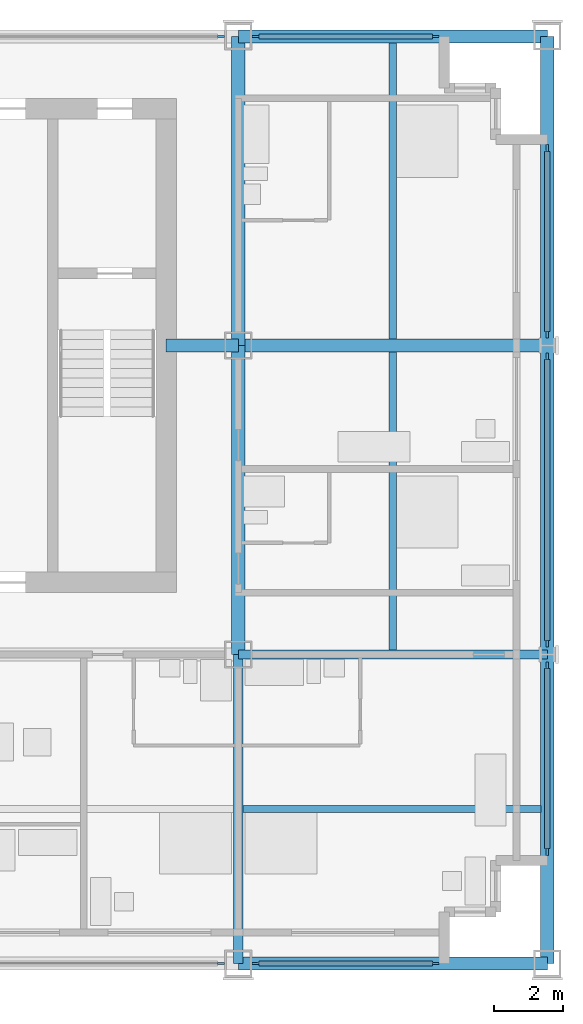
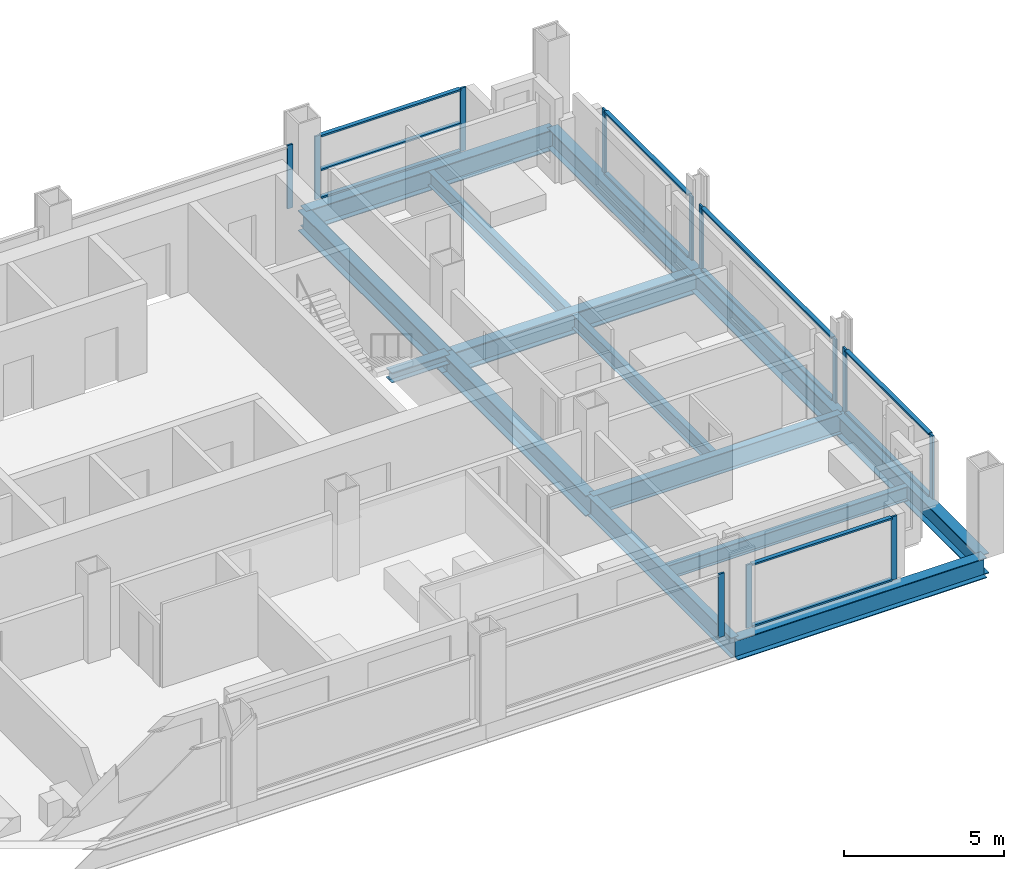
# One storey, part 5 of 13: 24 members, 13 beams, 7 elements without a shape of their own.
"""IFC4 building model written with IfcOpenShell, lengths in metres."""

from ifc_helpers import new_model, si_unit, direction, frame, origin, origin_2d, place, context, subcontext, project, spatial, rectangle, i_section, extrude, material, material_profile, profile_set, type_object, element, aggregate, save


model = new_model("IFC4")

# Units and contexts
model_context = context("Model", 3, precision=1e-05, world=origin(), true_north=direction((0.0, 1.0)))
body_context = subcontext(model_context, "Body", "Model", "MODEL_VIEW")
ifc_project = project(units=[si_unit("LENGTHUNIT", "METRE"), si_unit("AREAUNIT", "SQUARE_METRE"), si_unit("VOLUMEUNIT", "CUBIC_METRE"), si_unit("PLANEANGLEUNIT", "RADIAN"), si_unit("MASSUNIT", "GRAM", prefix="KILO")], contexts=[model_context])

# Site, building, storey
site_placement = place(None, origin())
site = spatial("IfcSite", under=ifc_project, at=site_placement, CompositionType="ELEMENT")
building_placement = place(site_placement, origin())
building = spatial("IfcBuilding", under=site, at=building_placement, Name="Loomwork Tower", CompositionType="ELEMENT")
storey_placement = place(building_placement, frame((0.0, 0.0, 204.60009765625)))
storey = spatial("IfcBuildingStorey", under=building, at=storey_placement, Name="L56", CompositionType="ELEMENT", Elevation=204.60009765625)

# Beams
ifc_material_1 = material(Name="Steel ASTM A992", Category="steel")
ifc_material_profile_1 = material_profile(ifc_material_1, i_section(OverallWidth=0.383544921875, OverallDepth=0.794921875, WebThickness=0.02099609375, FlangeThickness=0.0380859375, at=origin_2d()), Name="W30x235")
ifc_profile_set_1 = profile_set([ifc_material_profile_1], Name="Steel ASTM A992")
beam_type_1 = type_object("IfcBeamType", Name="CORE FLANK GIRDER W30x235", PredefinedType="BEAM", material=ifc_profile_set_1)
for number, where, z_axis, x_axis, name in (
    (1, (36.0, 18.0, -0.59765625), (1.0, 0.0, 0.0), (0.0, 1.0, 0.0), "Core Flank Girder F/6-F/7 L56"),
    (2, (36.0, 9.0, -0.59765625), (0.0, 1.0, 0.0), (-1.0, 0.0, 0.0), "Core Flank Girder E/6-F/6 L56"),
    (3, (36.0, 18.0, -0.59765625), (0.0, 1.0, 0.0), (-1.0, 0.0, 0.0), "Core Flank Girder F/6-G/6 L56"),
):
    element("IfcBeam", number, at=place(storey_placement, frame(where, z_axis=z_axis, x_axis=x_axis)), inside=storey, type_object=beam_type_1, Name=name, PredefinedType="BEAM", context=body_context, shape_type="SweptSolid", body=[
        extrude(i_section(OverallWidth=0.383544921875, OverallDepth=0.794921875, WebThickness=0.02099609375, FlangeThickness=0.0380859375, at=origin_2d()), origin(), (0.0, 0.0, 1.0), 9.0),
    ])

# Member
ifc_material_2 = material(Name="Steel ASTM A992", Category="steel")
ifc_material_profile_2 = material_profile(ifc_material_2, i_section(OverallWidth=0.373291015625, OverallDepth=0.373291015625, WebThickness=0.016357421875, FlangeThickness=0.026123046875, at=origin_2d()), Name="W14x132")
ifc_profile_set_2 = profile_set([ifc_material_profile_2], Name="Steel ASTM A992")
member_type_1 = type_object("IfcMemberType", Name="CORE LINK STRUT W14x132", PredefinedType="STRUT", material=ifc_profile_set_2)
member_1_placement = place(storey_placement, frame((36.0, 18.0, -0.38671875), z_axis=(-1.0, 0.0, 0.0), x_axis=(0.0, -1.0, 0.0)))
element("IfcMember", 4, at=member_1_placement, inside=storey, type_object=member_type_1, Name="Core link strut F/6-33.900,18.000 L56", PredefinedType="STRUT", context=body_context, shape_type="SweptSolid", body=[
    extrude(i_section(OverallWidth=0.373291015625, OverallDepth=0.373291015625, WebThickness=0.016357421875, FlangeThickness=0.026123046875, at=origin_2d()), origin(), (0.0, 0.0, 1.0), 2.10009765625),
])

# Beams
ifc_material_3 = material(Name="Steel ASTM A992", Category="steel")
ifc_material_profile_3 = material_profile(ifc_material_3, i_section(OverallWidth=0.2666015625, OverallDepth=0.761962890625, WebThickness=0.014404296875, FlangeThickness=0.021484375, at=origin_2d()), Name="W30x116")
ifc_profile_set_3 = profile_set([ifc_material_profile_3], Name="Steel ASTM A992")
beam_type_2 = type_object("IfcBeamType", Name="FLOOR GIRDER W30x116", PredefinedType="BEAM", material=ifc_profile_set_3)
for number, where, z_axis, x_axis, name in (
    (5, (36.0, 9.0, -0.5810546875), (1.0, 0.0, 0.0), (0.0, 1.0, 0.0), "Floor Girder E/6-E/7 L56"),
    (6, (36.0, 0.0, -0.5810546875), (0.0, 1.0, 0.0), (-1.0, 0.0, 0.0), "Floor Girder D/6-E/6 L56"),
):
    element("IfcBeam", number, at=place(storey_placement, frame(where, z_axis=z_axis, x_axis=x_axis)), inside=storey, type_object=beam_type_2, Name=name, PredefinedType="BEAM", context=body_context, shape_type="SweptSolid", body=[
        extrude(i_section(OverallWidth=0.2666015625, OverallDepth=0.761962890625, WebThickness=0.014404296875, FlangeThickness=0.021484375, at=origin_2d()), origin(), (0.0, 0.0, 1.0), 9.0),
    ])
ifc_material_4 = material(Name="Steel ASTM A992", Category="steel")
ifc_material_profile_4 = material_profile(ifc_material_4, i_section(OverallWidth=0.2109375, OverallDepth=0.53857421875, WebThickness=0.011474609375, FlangeThickness=0.018798828125, at=origin_2d()), Name="W21x73")
ifc_profile_set_4 = profile_set([ifc_material_profile_4], Name="Steel ASTM A992")
beam_type_3 = type_object("IfcBeamType", Name="FLOOR JOIST W21x73", PredefinedType="JOIST", material=ifc_profile_set_4)
beam_1_placement = place(storey_placement, frame((36.133056640625, 4.5, -0.46923828125), z_axis=(1.0, 0.0, 0.0), x_axis=(0.0, 1.0, 0.0)))
element("IfcBeam", 7, at=beam_1_placement, inside=storey, type_object=beam_type_3, Name="Floor Joist 36.000,4.500-45.000,4.500 L56", PredefinedType="JOIST", context=body_context, shape_type="SweptSolid", body=[
    extrude(i_section(OverallWidth=0.2109375, OverallDepth=0.53857421875, WebThickness=0.011474609375, FlangeThickness=0.018798828125, at=origin_2d()), origin(), (0.0, 0.0, 1.0), 8.677001953125),
])
beam_2_placement = place(storey_placement, frame((40.5, 9.133056640625, -0.46923828125), z_axis=(0.0, 1.0, 0.0), x_axis=(-1.0, 0.0, 0.0)))
element("IfcBeam", 8, at=beam_2_placement, inside=storey, type_object=beam_type_3, Name="Floor Joist 40.500,9.000-40.500,18.000 L56", PredefinedType="JOIST", context=body_context, shape_type="SweptSolid", body=[
    extrude(i_section(OverallWidth=0.2109375, OverallDepth=0.53857421875, WebThickness=0.011474609375, FlangeThickness=0.018798828125, at=origin_2d()), origin(), (0.0, 0.0, 1.0), 8.676025390625),
])
beam_3_placement = place(storey_placement, frame((40.5, 18.19091796875, -0.46923828125), z_axis=(0.0, 1.0, 0.0), x_axis=(-1.0, 0.0, 0.0)))
element("IfcBeam", 9, at=beam_3_placement, inside=storey, type_object=beam_type_3, Name="Floor Joist 40.500,18.000-40.500,27.000 L56", PredefinedType="JOIST", context=body_context, shape_type="SweptSolid", body=[
    extrude(i_section(OverallWidth=0.2109375, OverallDepth=0.53857421875, WebThickness=0.011474609375, FlangeThickness=0.018798828125, at=origin_2d()), origin(), (0.0, 0.0, 1.0), 8.619140625),
])

# Curtain wall, member
ifc_material_5 = material(Name="Aluminium curtain wall frame", Category="aluminium")
curtain_wall_type_1 = type_object("IfcCurtainWallType", Name="Outer skin glazing hotel", PredefinedType="NOTDEFINED", material=ifc_material_5)
curtain_wall_1_placement = place(storey_placement, origin())
curtain_wall_1 = element("IfcCurtainWall", 10, at=curtain_wall_1_placement, inside=storey, type_object=curtain_wall_type_1, Name="Outer skin glazing hotel cw/S-27", PredefinedType="NOTDEFINED")
ifc_material_6 = material(Name="Aluminium curtain wall frame", Category="aluminium")
ifc_material_profile_5 = material_profile(ifc_material_6, rectangle(XDim=0.06494140625, YDim=0.199951171875, at=origin_2d()), Name="AL 65x200")
ifc_profile_set_5 = profile_set([ifc_material_profile_5], Name="Aluminium curtain wall frame")
member_type_2 = type_object("IfcMemberType", Name="Outer skin glazing hotel mullion", PredefinedType="MULLION", material=ifc_profile_set_5)
member_2_placement = place(storey_placement, frame((35.5, 0.0, 0.0), z_axis=(0.0, 0.0, 1.0), x_axis=(0.0, 1.0, 0.0)))
member_2 = element("IfcMember", 11, at=member_2_placement, type_object=member_type_2, Name="CW1 mullion 2", PredefinedType="MULLION", context=body_context, shape_type="SweptSolid", body=[
    extrude(rectangle(XDim=0.06494140625, YDim=0.199951171875, at=origin_2d()), origin(), (0.0, 0.0, 1.0), 2.420166015625),
])
aggregate(curtain_wall_1, [member_2])

# Curtain wall, members
curtain_wall_2_placement = place(storey_placement, origin())
curtain_wall_2 = element("IfcCurtainWall", 12, at=curtain_wall_2_placement, inside=storey, type_object=curtain_wall_type_1, Name="Outer skin glazing hotel cw/S-36", PredefinedType="NOTDEFINED")
member_3_placement = place(storey_placement, frame((36.5, 0.0, 0.0), z_axis=(0.0, 0.0, 1.0), x_axis=(0.0, 1.0, 0.0)))
member_3 = element("IfcMember", 13, at=member_3_placement, type_object=member_type_2, Name="CW1 mullion 1", PredefinedType="MULLION", context=body_context, shape_type="SweptSolid", body=[
    extrude(rectangle(XDim=0.06494140625, YDim=0.199951171875, at=origin_2d()), origin(), (0.0, 0.0, 1.0), 2.420166015625),
])
member_4_placement = place(storey_placement, frame((41.75, 0.0, 0.0), z_axis=(0.0, 0.0, 1.0), x_axis=(0.0, 1.0, 0.0)))
member_4 = element("IfcMember", 14, at=member_4_placement, type_object=member_type_2, Name="CW1 mullion 2", PredefinedType="MULLION", context=body_context, shape_type="SweptSolid", body=[
    extrude(rectangle(XDim=0.06494140625, YDim=0.199951171875, at=origin_2d()), origin(), (0.0, 0.0, 1.0), 2.420166015625),
])

curtain_wall_3_placement = place(storey_placement, origin())
curtain_wall_3 = element("IfcCurtainWall", 15, at=curtain_wall_3_placement, inside=storey, type_object=curtain_wall_type_1, Name="Outer skin glazing hotel cw/E-0", PredefinedType="NOTDEFINED")
member_5_placement = place(storey_placement, frame((45.0, 3.25, 0.0), z_axis=(0.0, 0.0, 1.0), x_axis=(-1.0, 0.0, 0.0)))
member_5 = element("IfcMember", 16, at=member_5_placement, type_object=member_type_2, Name="CW1 mullion 1", PredefinedType="MULLION", context=body_context, shape_type="SweptSolid", body=[
    extrude(rectangle(XDim=0.06494140625, YDim=0.199951171875, at=origin_2d()), origin(), (0.0, 0.0, 1.0), 2.420166015625),
])
member_6_placement = place(storey_placement, frame((45.0, 8.6865234375, 0.0), z_axis=(0.0, 0.0, 1.0), x_axis=(-1.0, 0.0, 0.0)))
member_6 = element("IfcMember", 17, at=member_6_placement, type_object=member_type_2, Name="CW1 mullion 2", PredefinedType="MULLION", context=body_context, shape_type="SweptSolid", body=[
    extrude(rectangle(XDim=0.06494140625, YDim=0.199951171875, at=origin_2d()), origin(), (0.0, 0.0, 1.0), 2.420166015625),
])

curtain_wall_4_placement = place(storey_placement, origin())
curtain_wall_4 = element("IfcCurtainWall", 18, at=curtain_wall_4_placement, inside=storey, type_object=curtain_wall_type_1, Name="Outer skin glazing hotel cw/E-9", PredefinedType="NOTDEFINED")
member_7_placement = place(storey_placement, frame((45.0, 9.3134765625, 0.0), z_axis=(0.0, 0.0, 1.0), x_axis=(-1.0, 0.0, 0.0)))
member_7 = element("IfcMember", 19, at=member_7_placement, type_object=member_type_2, Name="CW1 mullion 1", PredefinedType="MULLION", context=body_context, shape_type="SweptSolid", body=[
    extrude(rectangle(XDim=0.06494140625, YDim=0.199951171875, at=origin_2d()), origin(), (0.0, 0.0, 1.0), 2.420166015625),
])
member_8_placement = place(storey_placement, frame((45.0, 17.6865234375, 0.0), z_axis=(0.0, 0.0, 1.0), x_axis=(-1.0, 0.0, 0.0)))
member_8 = element("IfcMember", 20, at=member_8_placement, type_object=member_type_2, Name="CW1 mullion 2", PredefinedType="MULLION", context=body_context, shape_type="SweptSolid", body=[
    extrude(rectangle(XDim=0.06494140625, YDim=0.199951171875, at=origin_2d()), origin(), (0.0, 0.0, 1.0), 2.420166015625),
])

curtain_wall_5_placement = place(storey_placement, origin())
curtain_wall_5 = element("IfcCurtainWall", 21, at=curtain_wall_5_placement, inside=storey, type_object=curtain_wall_type_1, Name="Outer skin glazing hotel cw/E-18", PredefinedType="NOTDEFINED")
member_9_placement = place(storey_placement, frame((45.0, 18.3134765625, 0.0), z_axis=(0.0, 0.0, 1.0), x_axis=(-1.0, 0.0, 0.0)))
member_9 = element("IfcMember", 22, at=member_9_placement, type_object=member_type_2, Name="CW1 mullion 1", PredefinedType="MULLION", context=body_context, shape_type="SweptSolid", body=[
    extrude(rectangle(XDim=0.06494140625, YDim=0.199951171875, at=origin_2d()), origin(), (0.0, 0.0, 1.0), 2.420166015625),
])
member_10_placement = place(storey_placement, frame((45.0, 23.75, 0.0), z_axis=(0.0, 0.0, 1.0), x_axis=(-1.0, 0.0, 0.0)))
member_10 = element("IfcMember", 23, at=member_10_placement, type_object=member_type_2, Name="CW1 mullion 2", PredefinedType="MULLION", context=body_context, shape_type="SweptSolid", body=[
    extrude(rectangle(XDim=0.06494140625, YDim=0.199951171875, at=origin_2d()), origin(), (0.0, 0.0, 1.0), 2.420166015625),
])

# Member
ifc_material_7 = material(Name="Aluminium curtain wall frame", Category="aluminium")
ifc_material_profile_6 = material_profile(ifc_material_7, rectangle(XDim=0.14990234375, YDim=0.06494140625, at=origin_2d()), Name="AL 65x150")
ifc_profile_set_6 = profile_set([ifc_material_profile_6], Name="Aluminium curtain wall frame")
member_type_3 = type_object("IfcMemberType", Name="Outer skin glazing hotel transom", PredefinedType="USERDEFINED", material=ifc_profile_set_6)
member_11_placement = place(storey_placement, frame((36.60009765625, 0.0, 0.032470703125), z_axis=(1.0, 0.0, 0.0), x_axis=(0.0, 1.0, 0.0)))
member_11 = element("IfcMember", 24, at=member_11_placement, type_object=member_type_3, Name="CW1 transom 1.1", ObjectType="TRANSOM", PredefinedType="USERDEFINED", context=body_context, shape_type="SweptSolid", body=[
    extrude(rectangle(XDim=0.14990234375, YDim=0.06494140625, at=origin_2d()), origin(), (0.0, 0.0, 1.0), 5.0498046875),
])

member_12_placement = place(storey_placement, frame((36.60009765625, 0.0, 2.3876953125), z_axis=(1.0, 0.0, 0.0), x_axis=(0.0, 1.0, 0.0)))
member_12 = element("IfcMember", 25, at=member_12_placement, type_object=member_type_3, Name="CW1 transom 1.2", ObjectType="TRANSOM", PredefinedType="USERDEFINED", context=body_context, shape_type="SweptSolid", body=[
    extrude(rectangle(XDim=0.14990234375, YDim=0.06494140625, at=origin_2d()), origin(), (0.0, 0.0, 1.0), 5.0498046875),
])

aggregate(curtain_wall_2, [member_3, member_4, member_11, member_12])

member_13_placement = place(storey_placement, frame((45.0, 3.35009765625, 0.032470703125), z_axis=(0.0, 1.0, 0.0), x_axis=(-1.0, 0.0, 0.0)))
member_13 = element("IfcMember", 26, at=member_13_placement, type_object=member_type_3, Name="CW1 transom 1.1", ObjectType="TRANSOM", PredefinedType="USERDEFINED", context=body_context, shape_type="SweptSolid", body=[
    extrude(rectangle(XDim=0.14990234375, YDim=0.06494140625, at=origin_2d()), origin(), (0.0, 0.0, 1.0), 5.236572265625),
])

member_14_placement = place(storey_placement, frame((45.0, 3.35009765625, 2.3876953125), z_axis=(0.0, 1.0, 0.0), x_axis=(-1.0, 0.0, 0.0)))
member_14 = element("IfcMember", 27, at=member_14_placement, type_object=member_type_3, Name="CW1 transom 1.2", ObjectType="TRANSOM", PredefinedType="USERDEFINED", context=body_context, shape_type="SweptSolid", body=[
    extrude(rectangle(XDim=0.14990234375, YDim=0.06494140625, at=origin_2d()), origin(), (0.0, 0.0, 1.0), 5.236572265625),
])

aggregate(curtain_wall_3, [member_5, member_6, member_13, member_14])

member_15_placement = place(storey_placement, frame((45.0, 9.413330078125, 0.032470703125), z_axis=(0.0, 1.0, 0.0), x_axis=(-1.0, 0.0, 0.0)))
member_15 = element("IfcMember", 28, at=member_15_placement, type_object=member_type_3, Name="CW1 transom 1.1", ObjectType="TRANSOM", PredefinedType="USERDEFINED", context=body_context, shape_type="SweptSolid", body=[
    extrude(rectangle(XDim=0.14990234375, YDim=0.06494140625, at=origin_2d()), origin(), (0.0, 0.0, 1.0), 8.17333984375),
])

member_16_placement = place(storey_placement, frame((45.0, 9.413330078125, 2.3876953125), z_axis=(0.0, 1.0, 0.0), x_axis=(-1.0, 0.0, 0.0)))
member_16 = element("IfcMember", 29, at=member_16_placement, type_object=member_type_3, Name="CW1 transom 1.2", ObjectType="TRANSOM", PredefinedType="USERDEFINED", context=body_context, shape_type="SweptSolid", body=[
    extrude(rectangle(XDim=0.14990234375, YDim=0.06494140625, at=origin_2d()), origin(), (0.0, 0.0, 1.0), 8.17333984375),
])

aggregate(curtain_wall_4, [member_7, member_8, member_15, member_16])

member_17_placement = place(storey_placement, frame((45.0, 18.413330078125, 0.032470703125), z_axis=(0.0, 1.0, 0.0), x_axis=(-1.0, 0.0, 0.0)))
member_17 = element("IfcMember", 30, at=member_17_placement, type_object=member_type_3, Name="CW1 transom 1.1", ObjectType="TRANSOM", PredefinedType="USERDEFINED", context=body_context, shape_type="SweptSolid", body=[
    extrude(rectangle(XDim=0.14990234375, YDim=0.06494140625, at=origin_2d()), origin(), (0.0, 0.0, 1.0), 5.236572265625),
])

member_18_placement = place(storey_placement, frame((45.0, 18.413330078125, 2.3876953125), z_axis=(0.0, 1.0, 0.0), x_axis=(-1.0, 0.0, 0.0)))
member_18 = element("IfcMember", 31, at=member_18_placement, type_object=member_type_3, Name="CW1 transom 1.2", ObjectType="TRANSOM", PredefinedType="USERDEFINED", context=body_context, shape_type="SweptSolid", body=[
    extrude(rectangle(XDim=0.14990234375, YDim=0.06494140625, at=origin_2d()), origin(), (0.0, 0.0, 1.0), 5.236572265625),
])

aggregate(curtain_wall_5, [member_9, member_10, member_17, member_18])

# Beams
ifc_material_8 = material(Name="Steel ASTM A992", Category="steel")
ifc_material_profile_7 = material_profile(ifc_material_8, i_section(OverallWidth=0.381103515625, OverallDepth=0.77978515625, WebThickness=0.01806640625, FlangeThickness=0.0302734375, at=origin_2d()), Name="W30x191")
ifc_profile_set_7 = profile_set([ifc_material_profile_7], Name="Steel ASTM A992")
beam_type_4 = type_object("IfcBeamType", Name="SPANDREL GIRDER W30x191", PredefinedType="SPANDREL", material=ifc_profile_set_7)
for number, where, z_axis, x_axis, name in (
    (32, (36.0, 0.0, -0.590087890625), (1.0, 0.0, 0.0), (0.0, 1.0, 0.0), "Spandrel Girder D/6-D/7 L56"),
    (33, (36.0, 27.0, -0.590087890625), (1.0, 0.0, 0.0), (0.0, 1.0, 0.0), "Spandrel Girder G/6-G/7 L56"),
    (34, (45.0, 0.0, -0.590087890625), (0.0, 1.0, 0.0), (-1.0, 0.0, 0.0), "Spandrel Girder D/7-E/7 L56"),
    (35, (45.0, 9.0, -0.590087890625), (0.0, 1.0, 0.0), (-1.0, 0.0, 0.0), "Spandrel Girder E/7-F/7 L56"),
    (36, (45.0, 18.0, -0.590087890625), (0.0, 1.0, 0.0), (-1.0, 0.0, 0.0), "Spandrel Girder F/7-G/7 L56"),
):
    element("IfcBeam", number, at=place(storey_placement, frame(where, z_axis=z_axis, x_axis=x_axis)), inside=storey, type_object=beam_type_4, Name=name, PredefinedType="SPANDREL", context=body_context, shape_type="SweptSolid", body=[
        extrude(i_section(OverallWidth=0.381103515625, OverallDepth=0.77978515625, WebThickness=0.01806640625, FlangeThickness=0.0302734375, at=origin_2d()), origin(), (0.0, 0.0, 1.0), 9.0),
    ])

# Curtain wall, member
ifc_material_9 = material(Name="Aluminium curtain wall frame", Category="aluminium")
curtain_wall_type_2 = type_object("IfcCurtainWallType", Name="Single skin glazing corridor", PredefinedType="NOTDEFINED", material=ifc_material_9)
curtain_wall_6_placement = place(storey_placement, origin())
curtain_wall_6 = element("IfcCurtainWall", 37, at=curtain_wall_6_placement, inside=storey, type_object=curtain_wall_type_2, Name="Single skin glazing corridor cw/N-27", PredefinedType="NOTDEFINED")
ifc_material_10 = material(Name="Aluminium curtain wall frame", Category="aluminium")
ifc_material_profile_8 = material_profile(ifc_material_10, rectangle(XDim=0.06494140625, YDim=0.199951171875, at=origin_2d()), Name="AL 65x200")
ifc_profile_set_8 = profile_set([ifc_material_profile_8], Name="Aluminium curtain wall frame")
member_type_4 = type_object("IfcMemberType", Name="Single skin glazing corridor mullion", PredefinedType="MULLION", material=ifc_profile_set_8)
member_19_placement = place(storey_placement, frame((35.5, 27.0, 0.0), z_axis=(0.0, 0.0, 1.0), x_axis=(0.0, -1.0, 0.0)))
member_19 = element("IfcMember", 38, at=member_19_placement, type_object=member_type_4, Name="CW3 mullion 1", PredefinedType="MULLION", context=body_context, shape_type="SweptSolid", body=[
    extrude(rectangle(XDim=0.06494140625, YDim=0.199951171875, at=origin_2d()), origin(), (0.0, 0.0, 1.0), 2.420166015625),
])
aggregate(curtain_wall_6, [member_19])

# Curtain wall, members
curtain_wall_7_placement = place(storey_placement, origin())
curtain_wall_7 = element("IfcCurtainWall", 39, at=curtain_wall_7_placement, inside=storey, type_object=curtain_wall_type_2, Name="Single skin glazing corridor cw/N-36", PredefinedType="NOTDEFINED")
member_20_placement = place(storey_placement, frame((41.75, 27.0, 0.0), z_axis=(0.0, 0.0, 1.0), x_axis=(0.0, -1.0, 0.0)))
member_20 = element("IfcMember", 40, at=member_20_placement, type_object=member_type_4, Name="CW3 mullion 1", PredefinedType="MULLION", context=body_context, shape_type="SweptSolid", body=[
    extrude(rectangle(XDim=0.06494140625, YDim=0.199951171875, at=origin_2d()), origin(), (0.0, 0.0, 1.0), 2.420166015625),
])
member_21_placement = place(storey_placement, frame((36.5, 27.0, 0.0), z_axis=(0.0, 0.0, 1.0), x_axis=(0.0, -1.0, 0.0)))
member_21 = element("IfcMember", 41, at=member_21_placement, type_object=member_type_4, Name="CW3 mullion 2", PredefinedType="MULLION", context=body_context, shape_type="SweptSolid", body=[
    extrude(rectangle(XDim=0.06494140625, YDim=0.199951171875, at=origin_2d()), origin(), (0.0, 0.0, 1.0), 2.420166015625),
])
ifc_material_11 = material(Name="Aluminium curtain wall frame", Category="aluminium")
ifc_material_profile_9 = material_profile(ifc_material_11, rectangle(XDim=0.14990234375, YDim=0.06494140625, at=origin_2d()), Name="AL 65x150")
ifc_profile_set_9 = profile_set([ifc_material_profile_9], Name="Aluminium curtain wall frame")
member_type_5 = type_object("IfcMemberType", Name="Single skin glazing corridor transom", PredefinedType="USERDEFINED", material=ifc_profile_set_9)
member_22_placement = place(storey_placement, frame((41.64990234375, 27.0, 0.032470703125), z_axis=(-1.0, 0.0, 0.0), x_axis=(0.0, -1.0, 0.0)))
member_22 = element("IfcMember", 42, at=member_22_placement, type_object=member_type_5, Name="CW3 transom 1.1", ObjectType="TRANSOM", PredefinedType="USERDEFINED", context=body_context, shape_type="SweptSolid", body=[
    extrude(rectangle(XDim=0.14990234375, YDim=0.06494140625, at=origin_2d()), origin(), (0.0, 0.0, 1.0), 5.0498046875),
])
member_23_placement = place(storey_placement, frame((41.64990234375, 27.0, 1.099853515625), z_axis=(-1.0, 0.0, 0.0), x_axis=(0.0, -1.0, 0.0)))
member_23 = element("IfcMember", 43, at=member_23_placement, type_object=member_type_5, Name="CW3 transom 1.2", ObjectType="TRANSOM", PredefinedType="USERDEFINED", context=body_context, shape_type="SweptSolid", body=[
    extrude(rectangle(XDim=0.14990234375, YDim=0.06494140625, at=origin_2d()), origin(), (0.0, 0.0, 1.0), 5.0498046875),
])
member_24_placement = place(storey_placement, frame((41.64990234375, 27.0, 2.3876953125), z_axis=(-1.0, 0.0, 0.0), x_axis=(0.0, -1.0, 0.0)))
member_24 = element("IfcMember", 44, at=member_24_placement, type_object=member_type_5, Name="CW3 transom 1.3", ObjectType="TRANSOM", PredefinedType="USERDEFINED", context=body_context, shape_type="SweptSolid", body=[
    extrude(rectangle(XDim=0.14990234375, YDim=0.06494140625, at=origin_2d()), origin(), (0.0, 0.0, 1.0), 5.0498046875),
])
aggregate(curtain_wall_7, [member_20, member_21, member_22, member_23, member_24])

save(model, "model.ifc")
